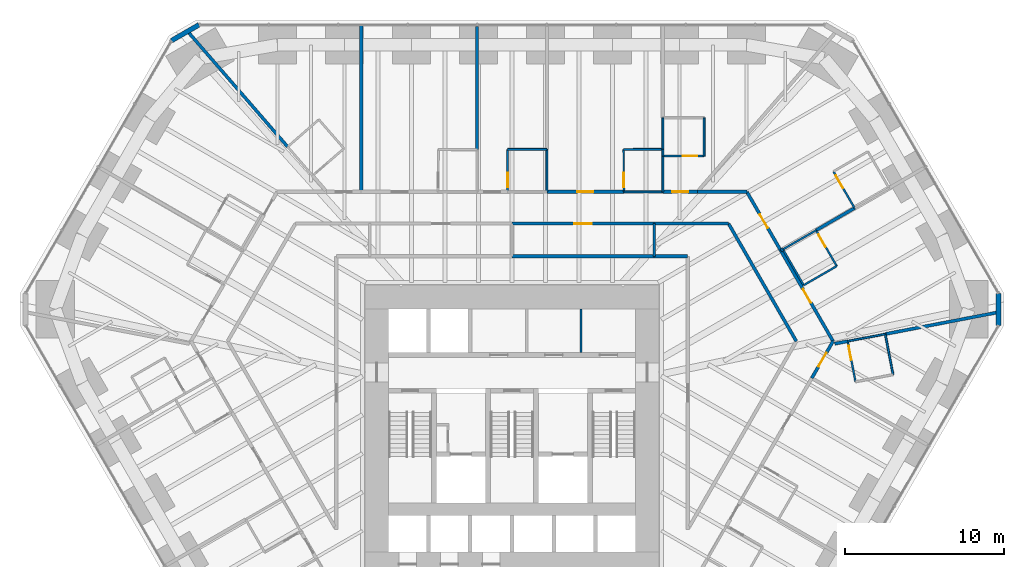
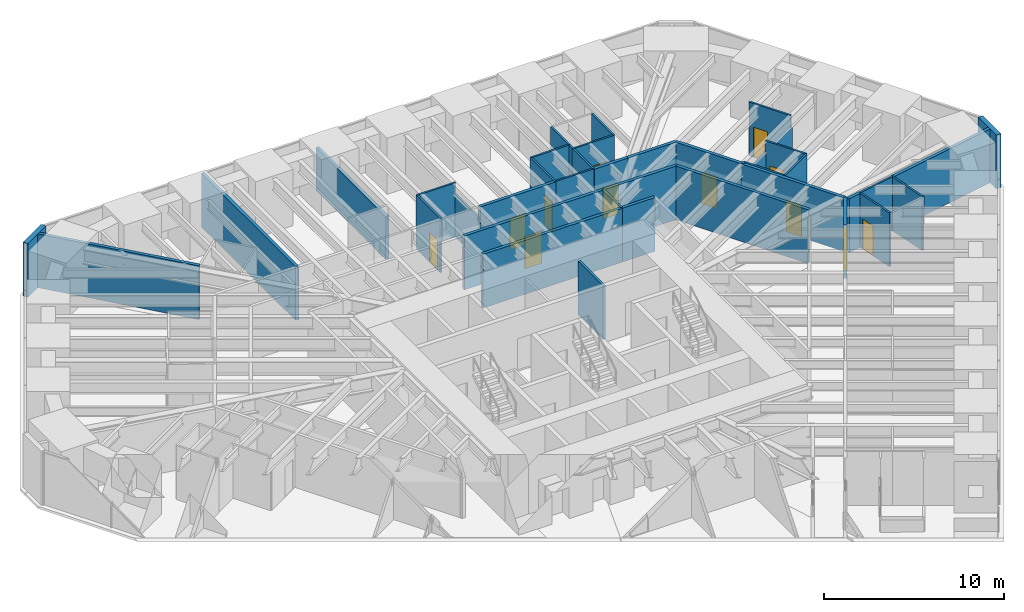
# One storey, part 15 of 17: 41 walls, 12 doors, 12 openings.
"""IFC4 building model written with IfcOpenShell, lengths in metres."""

from ifc_helpers import new_model, si_unit, direction, frame, frame_2d, origin, place, context, subcontext, project, spatial, rectangle, extrude, material, layer, layer_set, type_object, element, fill, save


model = new_model("IFC4")

# Units and contexts
model_context = context("Model", 3, precision=1e-05, world=origin(), true_north=direction((0.0, 1.0)))
body_context = subcontext(model_context, "Body", "Model", "MODEL_VIEW")
ifc_project = project(units=[si_unit("LENGTHUNIT", "METRE"), si_unit("AREAUNIT", "SQUARE_METRE"), si_unit("VOLUMEUNIT", "CUBIC_METRE"), si_unit("PLANEANGLEUNIT", "RADIAN"), si_unit("MASSUNIT", "GRAM", prefix="KILO")], contexts=[model_context])

# Site, building, storey
site_placement = place(None, origin())
site = spatial("IfcSite", under=ifc_project, at=site_placement, CompositionType="ELEMENT")
building_placement = place(site_placement, origin())
building = spatial("IfcBuilding", under=site, at=building_placement, Name="Sandreach Pilgrim Tower", CompositionType="ELEMENT")
storey_placement = place(building_placement, frame((0.0, 0.0, 26.800048828125)))
storey = spatial("IfcBuildingStorey", under=building, at=storey_placement, Name="L05", CompositionType="ELEMENT", Elevation=26.800048828125)

# Walls
ifc_material_1 = material(Name="Gypsum board on steel studs", Category="steel")
ifc_layer_1 = layer(ifc_material_1, 0.14990234375)
ifc_layer_set_1 = layer_set([ifc_layer_1], Name="Back of house wall 150")
wall_type_1 = type_object("IfcWallType", Name="Back of house wall 150", PredefinedType="PARTITIONING", material=ifc_layer_set_1)
wall_1_placement = place(storey_placement, frame((8.93994140625, 11.449951171875, 0.0), z_axis=(0.0, 0.0, 1.0), x_axis=(0.0, -1.0, 0.0)))
element("IfcWall", 1, at=wall_1_placement, inside=storey, type_object=wall_type_1, Name="Back of house wall L05-112", PredefinedType="PARTITIONING", context=body_context, shape_type="SweptSolid", body=[
    extrude(rectangle(XDim=2.050048828125, YDim=0.14990234375, at=frame_2d((1.02490234375, 0.0))), origin(), (0.0, 0.0, 1.0), 3.639892578125),
])
wall_2_placement = place(storey_placement, frame((4.333251953125, 3.35009765625, 0.0), z_axis=(0.0, 0.0, 1.0), x_axis=(0.0, 1.0, 0.0)))
element("IfcWall", 2, at=wall_2_placement, inside=storey, type_object=wall_type_1, Name="Core room partition L05 2", PredefinedType="PARTITIONING", context=body_context, shape_type="SweptSolid", body=[
    extrude(rectangle(XDim=2.75, YDim=0.14990234375, at=frame_2d((1.375, 0.0))), origin(), (0.0, 0.0, 1.0), 3.639892578125),
])

# Wall, opening, door
ifc_material_2 = material(Name="Moisture-resistant gypsum board on steel studs", Category="steel")
ifc_layer_2 = layer(ifc_material_2, 0.1201171875)
ifc_layer_set_2 = layer_set([ifc_layer_2], Name="Bathroom partition 120")
wall_type_2 = type_object("IfcWallType", Name="Bathroom partition 120", PredefinedType="PARTITIONING", material=ifc_layer_set_2)
wall_3_placement = place(storey_placement, frame((-0.27001953125, 16.1201171875, 0.0), z_axis=(0.0, 0.0, 1.0), x_axis=(0.0, -1.0, 0.0)))
wall_3 = element("IfcWall", 3, at=wall_3_placement, inside=storey, type_object=wall_type_2, Name="Bathroom partition L05-076", PredefinedType="PARTITIONING", context=body_context, shape_type="SweptSolid", body=[
    extrude(rectangle(XDim=2.670166015625, YDim=0.1201171875, at=frame_2d((1.3349609375, 0.0))), origin(), (0.0, 0.0, 1.0), 3.639892578125),
])
opening_1_placement = place(wall_3_placement, frame((1.469970703125, 0.0, 0.0)))
opening_1 = element("IfcOpeningElement", 4, at=opening_1_placement, cuts=wall_3, Name="Opening D09-03B", PredefinedType="OPENING", context=body_context, shape_type="SweptSolid", body=[
    extrude(rectangle(XDim=0.89990234375, YDim=2.030029296875, at=frame_2d((0.449951171875, 1.01513671875))), frame((0.0, 0.06005859375, 0.0), z_axis=(0.0, -1.0, 0.0), x_axis=(1.0, 0.0, 0.0)), (0.0, 0.0, 1.0), 0.1201171875),
])
ifc_material_3 = material(Name="Timber door, steel frame", Category="steel")
door_type_1 = type_object("IfcDoorType", Name="Bathroom door", OperationType="SINGLE_SWING_LEFT", PredefinedType="DOOR", material=ifc_material_3)
door_1_placement = place(opening_1_placement, origin())
door_1 = element("IfcDoor", 5, at=door_1_placement, inside=storey, type_object=door_type_1, Name="Door 0503B", OperationType="SINGLE_SWING_RIGHT", OverallHeight=2.030029296875, OverallWidth=0.89990234375, PredefinedType="DOOR", context=body_context, shape_type="SweptSolid", body=[
    extrude(rectangle(XDim=0.89990234375, YDim=2.030029296875, at=frame_2d((0.449951171875, 1.01513671875))), frame((0.0, 0.02490234375, 0.0), z_axis=(0.0, -1.0, 0.0), x_axis=(1.0, 0.0, 0.0)), (0.0, 0.0, 1.0), 0.050048828125),
])
fill(opening_1, door_1)

# Walls
wall_4_placement = place(storey_placement, frame((2.18994140625, 16.1201171875, 0.0), z_axis=(0.0, 0.0, 1.0), x_axis=(-1.0, 0.0, 0.0)))
element("IfcWall", 6, at=wall_4_placement, inside=storey, type_object=wall_type_2, Name="Bathroom partition L05-090", PredefinedType="PARTITIONING", context=body_context, shape_type="SweptSolid", body=[
    extrude(rectangle(XDim=2.4599609375, YDim=0.1201171875, at=frame_2d((1.22998046875, 0.0))), origin(), (0.0, 0.0, 1.0), 3.639892578125),
])
wall_5_placement = place(storey_placement, frame((2.18994140625, 16.1201171875, 0.0), z_axis=(0.0, 0.0, 1.0), x_axis=(0.0, -1.0, 0.0)))
element("IfcWall", 7, at=wall_5_placement, inside=storey, type_object=wall_type_2, Name="Bathroom partition L05-091", PredefinedType="PARTITIONING", context=body_context, shape_type="SweptSolid", body=[
    extrude(rectangle(XDim=2.670166015625, YDim=0.1201171875, at=frame_2d((1.3349609375, 0.0))), origin(), (0.0, 0.0, 1.0), 2.8779296875),
])

# Wall, opening, door
wall_6_placement = place(storey_placement, frame((7.02001953125, 16.110107421875, 0.0), z_axis=(0.0, 0.0, 1.0), x_axis=(0.003762822113, -0.99999292056, 0.0)))
wall_6 = element("IfcWall", 8, at=wall_6_placement, inside=storey, type_object=wall_type_2, Name="Bathroom partition L05-102", PredefinedType="PARTITIONING", context=body_context, shape_type="SweptSolid", body=[
    extrude(rectangle(XDim=2.66015625, YDim=0.1201171875, at=frame_2d((1.330078125, 0.0))), origin(), (0.0, 0.0, 1.0), 3.639892578125),
])
opening_2_placement = place(wall_6_placement, frame((1.4599609375, 0.0, 0.0)))
opening_2 = element("IfcOpeningElement", 9, at=opening_2_placement, cuts=wall_6, Name="Opening D09-04B", PredefinedType="OPENING", context=body_context, shape_type="SweptSolid", body=[
    extrude(rectangle(XDim=0.89990234375, YDim=2.030029296875, at=frame_2d((0.449951171875, 1.01513671875))), frame((0.0, 0.06005859375, 0.0), z_axis=(0.0, -1.0, 0.0), x_axis=(1.0, 0.0, 0.0)), (0.0, 0.0, 1.0), 0.1201171875),
])
door_2_placement = place(opening_2_placement, origin())
door_2 = element("IfcDoor", 10, at=door_2_placement, inside=storey, type_object=door_type_1, Name="Door 0504B", OperationType="SINGLE_SWING_RIGHT", OverallHeight=2.030029296875, OverallWidth=0.89990234375, PredefinedType="DOOR", context=body_context, shape_type="SweptSolid", body=[
    extrude(rectangle(XDim=0.89990234375, YDim=2.030029296875, at=frame_2d((0.449951171875, 1.01513671875))), frame((0.0, 0.02490234375, 0.0), z_axis=(0.0, -1.0, 0.0), x_axis=(1.0, 0.0, 0.0)), (0.0, 0.0, 1.0), 0.050048828125),
])
fill(opening_2, door_2)

# Walls
wall_7_placement = place(storey_placement, frame((9.47998046875, 13.449951171875, 0.0), z_axis=(0.0, 0.0, 1.0), x_axis=(-1.0, 0.0, 0.0)))
element("IfcWall", 11, at=wall_7_placement, inside=storey, type_object=wall_type_2, Name="Bathroom partition L05-115", PredefinedType="PARTITIONING", context=body_context, shape_type="SweptSolid", body=[
    extrude(rectangle(XDim=2.449951171875, YDim=0.1201171875, at=frame_2d((1.22509765625, 0.0))), origin(), (0.0, 0.0, 1.0), 3.639892578125),
])
wall_8_placement = place(storey_placement, frame((9.47998046875, 15.699951171875, 0.0), z_axis=(0.0, 0.0, 1.0), x_axis=(0.0, -1.0, 0.0)))
element("IfcWall", 12, at=wall_8_placement, inside=storey, type_object=wall_type_2, Name="Bathroom partition L05-116", PredefinedType="PARTITIONING", context=body_context, shape_type="SweptSolid", body=[
    extrude(rectangle(XDim=2.25, YDim=0.1201171875, at=frame_2d((1.125, 0.0))), origin(), (0.0, 0.0, 1.0), 3.639892578125),
])

# Wall, opening, door
wall_9_placement = place(storey_placement, frame((9.47998046875, 15.699951171875, 0.0), z_axis=(0.0, 0.0, 1.0), x_axis=(1.0, 0.0, 0.0)))
wall_9 = element("IfcWall", 13, at=wall_9_placement, inside=storey, type_object=wall_type_2, Name="Bathroom partition L05-117", PredefinedType="PARTITIONING", context=body_context, shape_type="SweptSolid", body=[
    extrude(rectangle(XDim=2.60009765625, YDim=0.1201171875, at=frame_2d((1.300048828125, 0.0))), origin(), (0.0, 0.0, 1.0), 3.639892578125),
])
opening_3_placement = place(wall_9_placement, frame((1.25, 0.0, 0.0)))
opening_3 = element("IfcOpeningElement", 14, at=opening_3_placement, cuts=wall_9, Name="Opening D09-05B", PredefinedType="OPENING", context=body_context, shape_type="SweptSolid", body=[
    extrude(rectangle(XDim=0.89990234375, YDim=2.030029296875, at=frame_2d((0.449951171875, 1.01513671875))), frame((0.0, 0.06005859375, 0.0), z_axis=(0.0, -1.0, 0.0), x_axis=(1.0, 0.0, 0.0)), (0.0, 0.0, 1.0), 0.1201171875),
])
door_3_placement = place(opening_3_placement, origin())
door_3 = element("IfcDoor", 15, at=door_3_placement, inside=storey, type_object=door_type_1, Name="Door 0505B", OperationType="SINGLE_SWING_RIGHT", OverallHeight=2.030029296875, OverallWidth=0.89990234375, PredefinedType="DOOR", context=body_context, shape_type="SweptSolid", body=[
    extrude(rectangle(XDim=0.89990234375, YDim=2.030029296875, at=frame_2d((0.449951171875, 1.01513671875))), frame((0.0, 0.02490234375, 0.0), z_axis=(0.0, -1.0, 0.0), x_axis=(1.0, 0.0, 0.0)), (0.0, 0.0, 1.0), 0.050048828125),
])
fill(opening_3, door_3)

# Walls
wall_10_placement = place(storey_placement, frame((9.47998046875, 16.1201171875, 0.0), z_axis=(0.0, 0.0, 1.0), x_axis=(-0.999991721417, -0.004069041344, 0.0)))
element("IfcWall", 16, at=wall_10_placement, inside=storey, type_object=wall_type_2, Name="Bathroom partition L05-118", PredefinedType="PARTITIONING", context=body_context, shape_type="SweptSolid", body=[
    extrude(rectangle(XDim=2.4599609375, YDim=0.1201171875, at=frame_2d((1.22998046875, 0.0))), origin(), (0.0, 0.0, 1.0), 3.639892578125),
])
wall_11_placement = place(storey_placement, frame((9.47998046875, 16.1201171875, 0.0), z_axis=(0.0, 0.0, 1.0), x_axis=(0.0, -1.0, 0.0)))
element("IfcWall", 17, at=wall_11_placement, inside=storey, type_object=wall_type_2, Name="Bathroom partition L05-119", PredefinedType="PARTITIONING", context=body_context, shape_type="SweptSolid", body=[
    extrude(rectangle(XDim=0.420166015625, YDim=0.1201171875, at=frame_2d((0.2099609375, 0.0))), origin(), (0.0, 0.0, 1.0), 3.639892578125),
])
wall_12_placement = place(storey_placement, frame((9.47998046875, 18.10009765625, 0.0), z_axis=(0.0, 0.0, 1.0), x_axis=(0.0, -1.0, 0.0)))
element("IfcWall", 18, at=wall_12_placement, inside=storey, type_object=wall_type_2, Name="Bathroom partition L05-120", PredefinedType="PARTITIONING", context=body_context, shape_type="SweptSolid", body=[
    extrude(rectangle(XDim=1.97998046875, YDim=0.1201171875, at=frame_2d((0.989990234375, 0.0))), origin(), (0.0, 0.0, 1.0), 3.639892578125),
])
wall_13_placement = place(storey_placement, frame((12.080078125, 15.699951171875, 0.0), z_axis=(0.0, 0.0, 1.0), x_axis=(0.0, 1.0, 0.0)))
element("IfcWall", 19, at=wall_13_placement, inside=storey, type_object=wall_type_2, Name="Bathroom partition L05-132", PredefinedType="PARTITIONING", context=body_context, shape_type="SweptSolid", body=[
    extrude(rectangle(XDim=2.400146484375, YDim=0.1201171875, at=frame_2d((1.2001953125, 0.0))), origin(), (0.0, 0.0, 1.0), 3.639892578125),
])
wall_14_placement = place(storey_placement, frame((17.02783203125, 9.833740234375, 0.0), z_axis=(0.0, 0.0, 1.0), x_axis=(0.867064427496, 0.498196024242, 0.0)))
element("IfcWall", 20, at=wall_14_placement, inside=storey, type_object=wall_type_2, Name="Bathroom partition L05-150", PredefinedType="PARTITIONING", context=body_context, shape_type="SweptSolid", body=[
    extrude(rectangle(XDim=2.401123046875, YDim=0.1201171875, at=frame_2d((1.20068359375, 0.0))), origin(), (0.0, 0.0, 1.0), 2.860107421875),
])
wall_15_placement = place(storey_placement, frame((17.030029296875, 9.830078125, 0.0), z_axis=(0.0, 0.0, 1.0), x_axis=(0.500291685314, -0.865856933682, 0.0)))
element("IfcWall", 21, at=wall_15_placement, inside=storey, type_object=wall_type_2, Name="Bathroom partition L05-151", PredefinedType="PARTITIONING", context=body_context, shape_type="SweptSolid", body=[
    extrude(rectangle(XDim=2.5986328125, YDim=0.1201171875, at=frame_2d((1.29931640625, 0.0))), origin(), (0.0, 0.0, 1.0), 3.639892578125),
])
wall_16_placement = place(storey_placement, frame((18.330078125, 7.580078125, 0.0), z_axis=(0.0, 0.0, 1.0), x_axis=(0.866177122335, 0.499737123639, 0.0)))
element("IfcWall", 22, at=wall_16_placement, inside=storey, type_object=wall_type_2, Name="Bathroom partition L05-154", PredefinedType="PARTITIONING", context=body_context, shape_type="SweptSolid", body=[
    extrude(rectangle(XDim=2.401123046875, YDim=0.1201171875, at=frame_2d((1.20068359375, 0.0))), origin(), (0.0, 0.0, 1.0), 3.639892578125),
])

# Wall, opening, door
wall_17_placement = place(storey_placement, frame((20.199951171875, 14.72998046875, 0.0), z_axis=(0.0, 0.0, 1.0), x_axis=(0.500605174168, -0.865675724273, 0.0)))
wall_17 = element("IfcWall", 23, at=wall_17_placement, inside=storey, type_object=wall_type_2, Name="Bathroom partition L05-157", PredefinedType="PARTITIONING", context=body_context, shape_type="SweptSolid", body=[
    extrude(rectangle(XDim=2.656982421875, YDim=0.1201171875, at=frame_2d((1.32861328125, 0.0))), origin(), (0.0, 0.0, 1.0), 3.639892578125),
])
opening_4_placement = place(wall_17_placement, frame((0.300048828125, 0.0, 0.0)))
opening_4 = element("IfcOpeningElement", 24, at=opening_4_placement, cuts=wall_17, Name="Opening D09-06B", PredefinedType="OPENING", context=body_context, shape_type="SweptSolid", body=[
    extrude(rectangle(XDim=0.89990234375, YDim=2.030029296875, at=frame_2d((0.449951171875, 1.01513671875))), frame((0.0, 0.06005859375, 0.0), z_axis=(0.0, -1.0, 0.0), x_axis=(1.0, 0.0, 0.0)), (0.0, 0.0, 1.0), 0.1201171875),
])
door_4_placement = place(opening_4_placement, origin())
door_4 = element("IfcDoor", 25, at=door_4_placement, inside=storey, type_object=door_type_1, Name="Door 0506B", OperationType="SINGLE_SWING_LEFT", OverallHeight=2.030029296875, OverallWidth=0.89990234375, PredefinedType="DOOR", context=body_context, shape_type="SweptSolid", body=[
    extrude(rectangle(XDim=0.89990234375, YDim=2.030029296875, at=frame_2d((0.449951171875, 1.01513671875))), frame((0.0, 0.02490234375, 0.0), z_axis=(0.0, -1.0, 0.0), x_axis=(1.0, 0.0, 0.0)), (0.0, 0.0, 1.0), 0.050048828125),
])
fill(opening_4, door_4)

wall_18_placement = place(storey_placement, frame((20.409912109375, 8.780029296875, 0.0), z_axis=(0.0, 0.0, 1.0), x_axis=(-0.500291685314, 0.865856933682, 0.0)))
wall_18 = element("IfcWall", 26, at=wall_18_placement, inside=storey, type_object=wall_type_2, Name="Bathroom partition L05-160", PredefinedType="PARTITIONING", context=body_context, shape_type="SweptSolid", body=[
    extrude(rectangle(XDim=2.5986328125, YDim=0.1201171875, at=frame_2d((1.29931640625, 0.0))), origin(), (0.0, 0.0, 1.0), 3.639892578125),
])
opening_5_placement = place(wall_18_placement, frame((1.398681640625, 0.0, 0.0)))
opening_5 = element("IfcOpeningElement", 27, at=opening_5_placement, cuts=wall_18, Name="Opening D09-07B", PredefinedType="OPENING", context=body_context, shape_type="SweptSolid", body=[
    extrude(rectangle(XDim=0.89990234375, YDim=2.030029296875, at=frame_2d((0.449951171875, 1.01513671875))), frame((0.0, 0.06005859375, 0.0), z_axis=(0.0, -1.0, 0.0), x_axis=(1.0, 0.0, 0.0)), (0.0, 0.0, 1.0), 0.1201171875),
])
door_5_placement = place(opening_5_placement, origin())
door_5 = element("IfcDoor", 28, at=door_5_placement, inside=storey, type_object=door_type_1, Name="Door 0507B", OperationType="SINGLE_SWING_RIGHT", OverallHeight=2.030029296875, OverallWidth=0.89990234375, PredefinedType="DOOR", context=body_context, shape_type="SweptSolid", body=[
    extrude(rectangle(XDim=0.89990234375, YDim=2.030029296875, at=frame_2d((0.449951171875, 1.01513671875))), frame((0.0, 0.02490234375, 0.0), z_axis=(0.0, -1.0, 0.0), x_axis=(1.0, 0.0, 0.0)), (0.0, 0.0, 1.0), 0.050048828125),
])
fill(opening_5, door_5)

wall_19_placement = place(storey_placement, frame((21.10009765625, 4.06005859375, 0.0), z_axis=(0.0, 0.0, 1.0), x_axis=(0.188697442844, -0.982035271802, 0.0)))
wall_19 = element("IfcWall", 29, at=wall_19_placement, inside=storey, type_object=wall_type_2, Name="Bathroom partition L05-161", PredefinedType="PARTITIONING", context=body_context, shape_type="SweptSolid", body=[
    extrude(rectangle(XDim=2.5966796875, YDim=0.1201171875, at=frame_2d((1.29833984375, 0.0))), origin(), (0.0, 0.0, 1.0), 3.639892578125),
])
opening_6_placement = place(wall_19_placement, frame((0.300048828125, 0.0, 0.0)))
opening_6 = element("IfcOpeningElement", 30, at=opening_6_placement, cuts=wall_19, Name="Opening D09-08B", PredefinedType="OPENING", context=body_context, shape_type="SweptSolid", body=[
    extrude(rectangle(XDim=0.89990234375, YDim=2.030029296875, at=frame_2d((0.449951171875, 1.01513671875))), frame((0.0, 0.06005859375, 0.0), z_axis=(0.0, -1.0, 0.0), x_axis=(1.0, 0.0, 0.0)), (0.0, 0.0, 1.0), 0.1201171875),
])
door_6_placement = place(opening_6_placement, origin())
door_6 = element("IfcDoor", 31, at=door_6_placement, inside=storey, type_object=door_type_1, Name="Door 0508B", OperationType="SINGLE_SWING_LEFT", OverallHeight=2.030029296875, OverallWidth=0.89990234375, PredefinedType="DOOR", context=body_context, shape_type="SweptSolid", body=[
    extrude(rectangle(XDim=0.89990234375, YDim=2.030029296875, at=frame_2d((0.449951171875, 1.01513671875))), frame((0.0, 0.02490234375, 0.0), z_axis=(0.0, -1.0, 0.0), x_axis=(1.0, 0.0, 0.0)), (0.0, 0.0, 1.0), 0.050048828125),
])
fill(opening_6, door_6)

# Walls
wall_20_placement = place(storey_placement, frame((21.099853515625, 4.06005859375, 0.0), z_axis=(0.0, 0.0, 1.0), x_axis=(0.982307423658, 0.187275533444, 0.0)))
element("IfcWall", 32, at=wall_20_placement, inside=storey, type_object=wall_type_2, Name="Bathroom partition L05-162", PredefinedType="PARTITIONING", context=body_context, shape_type="SweptSolid", body=[
    extrude(rectangle(XDim=2.402587890625, YDim=0.1201171875, at=frame_2d((1.201171875, 0.0))), origin(), (0.0, 0.0, 1.0), 3.639892578125),
])
wall_21_placement = place(storey_placement, frame((23.949951171875, 1.9599609375, 0.0), z_axis=(0.0, 0.0, 1.0), x_axis=(-0.188697442844, 0.982035271802, 0.0)))
element("IfcWall", 33, at=wall_21_placement, inside=storey, type_object=wall_type_2, Name="Bathroom partition L05-169", PredefinedType="PARTITIONING", context=body_context, shape_type="SweptSolid", body=[
    extrude(rectangle(XDim=2.5966796875, YDim=0.1201171875, at=frame_2d((1.29833984375, 0.0))), origin(), (0.0, 0.0, 1.0), 3.639892578125),
])

# Wall, opening, door
ifc_material_4 = material(Name="Gypsum board on steel studs, two layers each side", Category="steel")
ifc_layer_3 = layer(ifc_material_4, 0.199951171875)
ifc_layer_set_3 = layer_set([ifc_layer_3], Name="Corridor wall 200")
wall_type_3 = type_object("IfcWallType", Name="Corridor wall 200", PredefinedType="PARTITIONING", material=ifc_layer_set_3)
wall_22_placement = place(storey_placement, frame((0.0, 11.449951171875, 0.0), z_axis=(0.0, 0.0, 1.0), x_axis=(1.0, 0.0, 0.0)))
wall_22 = element("IfcWall", 34, at=wall_22_placement, inside=storey, type_object=wall_type_3, Name="Corridor wall L05-086", PredefinedType="PARTITIONING", context=body_context, shape_type="SweptSolid", body=[
    extrude(rectangle(XDim=8.93994140625, YDim=0.199951171875, at=frame_2d((4.469970703125, 0.0))), origin(), (0.0, 0.0, 1.0), 3.639892578125),
])
opening_7_placement = place(wall_22_placement, frame((3.919921875, 0.0, 0.0)))
opening_7 = element("IfcOpeningElement", 35, at=opening_7_placement, cuts=wall_22, Name="Opening D11H-M03", PredefinedType="OPENING", context=body_context, shape_type="SweptSolid", body=[
    extrude(rectangle(XDim=1.10009765625, YDim=2.199951171875, at=frame_2d((0.550048828125, 1.10009765625))), frame((0.0, 0.10009765625, 0.0), z_axis=(0.0, -1.0, 0.0), x_axis=(1.0, 0.0, 0.0)), (0.0, 0.0, 1.0), 0.199951171875),
])
ifc_material_5 = material(Name="Steel door and frame", Category="steel")
door_type_2 = type_object("IfcDoorType", Name="Back of house door", OperationType="SINGLE_SWING_LEFT", PredefinedType="DOOR", material=ifc_material_5)
door_7_placement = place(opening_7_placement, origin())
door_7 = element("IfcDoor", 36, at=door_7_placement, inside=storey, type_object=door_type_2, Name="Door 05M03", OperationType="SINGLE_SWING_LEFT", OverallHeight=2.199951171875, OverallWidth=1.10009765625, PredefinedType="DOOR", context=body_context, shape_type="SweptSolid", body=[
    extrude(rectangle(XDim=1.10009765625, YDim=2.199951171875, at=frame_2d((0.550048828125, 1.10009765625))), frame((0.0, 0.02490234375, 0.0), z_axis=(0.0, -1.0, 0.0), x_axis=(1.0, 0.0, 0.0)), (0.0, 0.0, 1.0), 0.050048828125),
])
fill(opening_7, door_7)

wall_23_placement = place(storey_placement, frame((7.030029296875, 13.449951171875, 0.0), z_axis=(0.0, 0.0, 1.0), x_axis=(-1.0, 0.0, 0.0)))
wall_23 = element("IfcWall", 37, at=wall_23_placement, inside=storey, type_object=wall_type_3, Name="Corridor wall L05-103", PredefinedType="PARTITIONING", context=body_context, shape_type="SweptSolid", body=[
    extrude(rectangle(XDim=4.840087890625, YDim=0.199951171875, at=frame_2d((2.419921875, 0.0))), origin(), (0.0, 0.0, 1.0), 3.639892578125),
])
opening_8_placement = place(wall_23_placement, frame((1.919921875, 0.0, 0.0)))
opening_8 = element("IfcOpeningElement", 38, at=opening_8_placement, cuts=wall_23, Name="Opening D10-04", PredefinedType="OPENING", context=body_context, shape_type="SweptSolid", body=[
    extrude(rectangle(XDim=1.0, YDim=2.1298828125, at=frame_2d((0.5, 1.06494140625))), frame((0.0, 0.10009765625, 0.0), z_axis=(0.0, -1.0, 0.0), x_axis=(1.0, 0.0, 0.0)), (0.0, 0.0, 1.0), 0.199951171875),
])
ifc_material_6 = material(Name="Steel door and frame", Category="steel")
door_type_3 = type_object("IfcDoorType", Name="Guest room entry door", OperationType="SINGLE_SWING_LEFT", PredefinedType="DOOR", material=ifc_material_6)
door_8_placement = place(opening_8_placement, origin())
door_8 = element("IfcDoor", 39, at=door_8_placement, inside=storey, type_object=door_type_3, Name="Door 0504", OperationType="SINGLE_SWING_LEFT", OverallHeight=2.1298828125, OverallWidth=1.0, PredefinedType="DOOR", context=body_context, shape_type="SweptSolid", body=[
    extrude(rectangle(XDim=1.0, YDim=2.1298828125, at=frame_2d((0.5, 1.06494140625))), frame((0.0, 0.02490234375, 0.0), z_axis=(0.0, -1.0, 0.0), x_axis=(1.0, 0.0, 0.0)), (0.0, 0.0, 1.0), 0.050048828125),
])
fill(opening_8, door_8)

# Walls
wall_24_placement = place(storey_placement, frame((8.93994140625, 9.39990234375, 0.0), z_axis=(0.0, 0.0, 1.0), x_axis=(-1.0, 0.0, 0.0)))
element("IfcWall", 40, at=wall_24_placement, inside=storey, type_object=wall_type_3, Name="Corridor wall L05-111", PredefinedType="PARTITIONING", context=body_context, shape_type="SweptSolid", body=[
    extrude(rectangle(XDim=8.93994140625, YDim=0.199951171875, at=frame_2d((4.469970703125, 0.0))), origin(), (0.0, 0.0, 1.0), 3.639892578125),
])
wall_25_placement = place(storey_placement, frame((8.93994140625, 11.449951171875, 0.0), z_axis=(0.0, 0.0, 1.0), x_axis=(1.0, 0.0, 0.0)))
element("IfcWall", 41, at=wall_25_placement, inside=storey, type_object=wall_type_3, Name="Corridor wall L05-113", PredefinedType="PARTITIONING", context=body_context, shape_type="SweptSolid", body=[
    extrude(rectangle(XDim=4.670166015625, YDim=0.199951171875, at=frame_2d((2.3349609375, 0.0))), origin(), (0.0, 0.0, 1.0), 3.639892578125),
])
wall_26_placement = place(storey_placement, frame((11.0400390625, 9.39990234375, 0.0), z_axis=(0.0, 0.0, 1.0), x_axis=(-1.0, 0.0, 0.0)))
element("IfcWall", 42, at=wall_26_placement, inside=storey, type_object=wall_type_3, Name="Corridor wall L05-127", PredefinedType="PARTITIONING", context=body_context, shape_type="SweptSolid", body=[
    extrude(rectangle(XDim=2.10009765625, YDim=0.199951171875, at=frame_2d((1.050048828125, 0.0))), origin(), (0.0, 0.0, 1.0), 3.639892578125),
])

# Wall, opening, door
wall_27_placement = place(storey_placement, frame((11.64990234375, 13.449951171875, 0.0), z_axis=(0.0, 0.0, 1.0), x_axis=(-1.0, 0.0, 0.0)))
wall_27 = element("IfcWall", 43, at=wall_27_placement, inside=storey, type_object=wall_type_3, Name="Corridor wall L05-130", PredefinedType="PARTITIONING", context=body_context, shape_type="SweptSolid", body=[
    extrude(rectangle(XDim=2.169921875, YDim=0.199951171875, at=frame_2d((1.0849609375, 0.0))), origin(), (0.0, 0.0, 1.0), 3.639892578125),
])
opening_9_placement = place(wall_27_placement, frame((0.5849609375, 0.0, 0.0)))
opening_9 = element("IfcOpeningElement", 44, at=opening_9_placement, cuts=wall_27, Name="Opening D10-05", PredefinedType="OPENING", context=body_context, shape_type="SweptSolid", body=[
    extrude(rectangle(XDim=1.0, YDim=2.1298828125, at=frame_2d((0.5, 1.06494140625))), frame((0.0, 0.10009765625, 0.0), z_axis=(0.0, -1.0, 0.0), x_axis=(1.0, 0.0, 0.0)), (0.0, 0.0, 1.0), 0.199951171875),
])
door_9_placement = place(opening_9_placement, origin())
door_9 = element("IfcDoor", 45, at=door_9_placement, inside=storey, type_object=door_type_3, Name="Door 0505", OperationType="SINGLE_SWING_LEFT", OverallHeight=2.1298828125, OverallWidth=1.0, PredefinedType="DOOR", context=body_context, shape_type="SweptSolid", body=[
    extrude(rectangle(XDim=1.0, YDim=2.1298828125, at=frame_2d((0.5, 1.06494140625))), frame((0.0, 0.02490234375, 0.0), z_axis=(0.0, -1.0, 0.0), x_axis=(1.0, 0.0, 0.0)), (0.0, 0.0, 1.0), 0.050048828125),
])
fill(opening_9, door_9)

# Walls
wall_28_placement = place(storey_placement, frame((13.610107421875, 11.449951171875, 0.0), z_axis=(0.0, 0.0, 1.0), x_axis=(0.499402776741, -0.866369936334, 0.0)))
element("IfcWall", 46, at=wall_28_placement, inside=storey, type_object=wall_type_3, Name="Corridor wall L05-137", PredefinedType="PARTITIONING", context=body_context, shape_type="SweptSolid", body=[
    extrude(rectangle(XDim=8.52978515625, YDim=0.199951171875, at=frame_2d((4.264892578125, 0.0))), origin(), (0.0, 0.0, 1.0), 3.639892578125),
])
wall_29_placement = place(storey_placement, frame((14.760009765625, 13.449951171875, 0.0), z_axis=(0.0, 0.0, 1.0), x_axis=(-1.0, 0.0, 0.0)))
element("IfcWall", 47, at=wall_29_placement, inside=storey, type_object=wall_type_3, Name="Corridor wall L05-142", PredefinedType="PARTITIONING", context=body_context, shape_type="SweptSolid", body=[
    extrude(rectangle(XDim=3.110107421875, YDim=0.199951171875, at=frame_2d((1.55517578125, 0.0))), origin(), (0.0, 0.0, 1.0), 3.639892578125),
])

# Wall, opening, door
wall_30_placement = place(storey_placement, frame((14.760009765625, 13.449951171875, 0.0), z_axis=(0.0, 0.0, 1.0), x_axis=(0.499894213467, -0.866086471054, 0.0)))
wall_30 = element("IfcWall", 48, at=wall_30_placement, inside=storey, type_object=wall_type_3, Name="Corridor wall L05-143", PredefinedType="PARTITIONING", context=body_context, shape_type="SweptSolid", body=[
    extrude(rectangle(XDim=4.265625, YDim=0.199951171875, at=frame_2d((2.1328125, 0.0))), origin(), (0.0, 0.0, 1.0), 3.639892578125),
])
opening_10_placement = place(wall_30_placement, frame((1.6328125, 0.0, 0.0)))
opening_10 = element("IfcOpeningElement", 49, at=opening_10_placement, cuts=wall_30, Name="Opening D10-06", PredefinedType="OPENING", context=body_context, shape_type="SweptSolid", body=[
    extrude(rectangle(XDim=1.0, YDim=2.1298828125, at=frame_2d((0.5, 1.06494140625))), frame((0.0, 0.10009765625, 0.0), z_axis=(0.0, -1.0, 0.0), x_axis=(1.0, 0.0, 0.0)), (0.0, 0.0, 1.0), 0.199951171875),
])
door_10_placement = place(opening_10_placement, origin())
door_10 = element("IfcDoor", 50, at=door_10_placement, inside=storey, type_object=door_type_3, Name="Door 0506", OperationType="SINGLE_SWING_LEFT", OverallHeight=2.1298828125, OverallWidth=1.0, PredefinedType="DOOR", context=body_context, shape_type="SweptSolid", body=[
    extrude(rectangle(XDim=1.0, YDim=2.1298828125, at=frame_2d((0.5, 1.06494140625))), frame((0.0, 0.02490234375, 0.0), z_axis=(0.0, -1.0, 0.0), x_axis=(1.0, 0.0, 0.0)), (0.0, 0.0, 1.0), 0.050048828125),
])
fill(opening_10, door_10)

wall_31_placement = place(storey_placement, frame((16.892333984375, 9.755615234375, 0.0), z_axis=(0.0, 0.0, 1.0), x_axis=(0.499916344562, -0.866073696887, 0.0)))
wall_31 = element("IfcWall", 51, at=wall_31_placement, inside=storey, type_object=wall_type_3, Name="Corridor wall L05-148", PredefinedType="PARTITIONING", context=body_context, shape_type="SweptSolid", body=[
    extrude(rectangle(XDim=6.576416015625, YDim=0.199951171875, at=frame_2d((3.2880859375, 0.0))), origin(), (0.0, 0.0, 1.0), 3.639892578125),
])
opening_11_placement = place(wall_31_placement, frame((2.7880859375, 0.0, 0.0)))
opening_11 = element("IfcOpeningElement", 52, at=opening_11_placement, cuts=wall_31, Name="Opening D10-07", PredefinedType="OPENING", context=body_context, shape_type="SweptSolid", body=[
    extrude(rectangle(XDim=1.0, YDim=2.1298828125, at=frame_2d((0.5, 1.06494140625))), frame((0.0, 0.10009765625, 0.0), z_axis=(0.0, -1.0, 0.0), x_axis=(1.0, 0.0, 0.0)), (0.0, 0.0, 1.0), 0.199951171875),
])
door_11_placement = place(opening_11_placement, origin())
door_11 = element("IfcDoor", 53, at=door_11_placement, inside=storey, type_object=door_type_3, Name="Door 0507", OperationType="SINGLE_SWING_LEFT", OverallHeight=2.1298828125, OverallWidth=1.0, PredefinedType="DOOR", context=body_context, shape_type="SweptSolid", body=[
    extrude(rectangle(XDim=1.0, YDim=2.1298828125, at=frame_2d((0.5, 1.06494140625))), frame((0.0, 0.02490234375, 0.0), z_axis=(0.0, -1.0, 0.0), x_axis=(1.0, 0.0, 0.0)), (0.0, 0.0, 1.0), 0.050048828125),
])
fill(opening_11, door_11)

wall_32_placement = place(storey_placement, frame((18.840087890625, 1.739990234375, 0.0), z_axis=(0.0, 0.0, 1.0), x_axis=(0.500098439427, 0.865968562295, 0.0)))
wall_32 = element("IfcWall", 54, at=wall_32_placement, inside=storey, type_object=wall_type_3, Name="Corridor wall L05-155", PredefinedType="PARTITIONING", context=body_context, shape_type="SweptSolid", body=[
    extrude(rectangle(XDim=2.67919921875, YDim=0.199951171875, at=frame_2d((1.339599609375, 0.0))), origin(), (0.0, 0.0, 1.0), 3.639892578125),
])
opening_12_placement = place(wall_32_placement, frame((0.839599609375, 0.0, 0.0)))
opening_12 = element("IfcOpeningElement", 55, at=opening_12_placement, cuts=wall_32, Name="Opening D10-08", PredefinedType="OPENING", context=body_context, shape_type="SweptSolid", body=[
    extrude(rectangle(XDim=1.0, YDim=2.1298828125, at=frame_2d((0.5, 1.06494140625))), frame((0.0, 0.10009765625, 0.0), z_axis=(0.0, -1.0, 0.0), x_axis=(1.0, 0.0, 0.0)), (0.0, 0.0, 1.0), 0.199951171875),
])
door_12_placement = place(opening_12_placement, origin())
door_12 = element("IfcDoor", 56, at=door_12_placement, inside=storey, type_object=door_type_3, Name="Door 0508", OperationType="SINGLE_SWING_LEFT", OverallHeight=2.1298828125, OverallWidth=1.0, PredefinedType="DOOR", context=body_context, shape_type="SweptSolid", body=[
    extrude(rectangle(XDim=1.0, YDim=2.1298828125, at=frame_2d((0.5, 1.06494140625))), frame((0.0, 0.02490234375, 0.0), z_axis=(0.0, -1.0, 0.0), x_axis=(1.0, 0.0, 0.0)), (0.0, 0.0, 1.0), 0.050048828125),
])
fill(opening_12, door_12)

# Walls
ifc_material_7 = material(Name="Double steel stud acoustic wall, gypsum board", Category="steel")
ifc_layer_4 = layer(ifc_material_7, 0.199951171875)
ifc_layer_set_4 = layer_set([ifc_layer_4], Name="Party wall 200")
wall_type_4 = type_object("IfcWallType", Name="Party wall 200", PredefinedType="PARTITIONING", material=ifc_layer_set_4)
wall_33_placement = place(storey_placement, frame((-20.400390625, 23.54736328125, 0.0), z_axis=(0.0, 0.0, 1.0), x_axis=(0.654910244559, -0.755706670323, 0.0)))
element("IfcWall", 57, at=wall_33_placement, inside=storey, type_object=wall_type_4, Name="Party wall L05-013", PredefinedType="PARTITIONING", context=body_context, shape_type="SweptSolid", body=[
    extrude(rectangle(XDim=9.6181640625, YDim=0.199951171875, at=frame_2d((4.80908203125, 0.0))), origin(), (0.0, 0.0, 1.0), 3.639892578125),
])
wall_34_placement = place(storey_placement, frame((-9.47998046875, 23.919921875, 0.0), z_axis=(0.0, 0.0, 1.0), x_axis=(0.0, -1.0, 0.0)))
element("IfcWall", 58, at=wall_34_placement, inside=storey, type_object=wall_type_4, Name="Party wall L05-054", PredefinedType="PARTITIONING", context=body_context, shape_type="SweptSolid", body=[
    extrude(rectangle(XDim=10.4599609375, YDim=0.199951171875, at=frame_2d((5.22998046875, 0.0))), origin(), (0.0, 0.0, 1.0), 3.639892578125),
])
wall_35_placement = place(storey_placement, frame((-2.18994140625, 23.830078125, 0.0), z_axis=(0.0, 0.0, 1.0), x_axis=(0.0, -1.0, 0.0)))
element("IfcWall", 59, at=wall_35_placement, inside=storey, type_object=wall_type_4, Name="Party wall L05-074", PredefinedType="PARTITIONING", context=body_context, shape_type="SweptSolid", body=[
    extrude(rectangle(XDim=7.72998046875, YDim=0.199951171875, at=frame_2d((3.864990234375, 0.0))), origin(), (0.0, 0.0, 1.0), 2.8779296875),
])
wall_36_placement = place(storey_placement, frame((16.904296875, 9.762451171875, 0.0), z_axis=(0.0, 0.0, 1.0), x_axis=(0.875926787791, 0.482444051088, 0.0)))
element("IfcWall", 60, at=wall_36_placement, inside=storey, type_object=wall_type_4, Name="Party wall L05-149", PredefinedType="PARTITIONING", context=body_context, shape_type="SweptSolid", body=[
    extrude(rectangle(XDim=0.142822265625, YDim=0.199951171875, at=frame_2d((0.0712890625, 0.0))), origin(), (0.0, 0.0, 1.0), 3.639892578125),
])
wall_37_placement = place(storey_placement, frame((19.110107421875, 11.030029296875, 0.0), z_axis=(0.0, 0.0, 1.0), x_axis=(0.865839219242, 0.500322342518, 0.0)))
element("IfcWall", 61, at=wall_37_placement, inside=storey, type_object=wall_type_4, Name="Party wall L05-156", PredefinedType="PARTITIONING", context=body_context, shape_type="SweptSolid", body=[
    extrude(rectangle(XDim=2.818115234375, YDim=0.199951171875, at=frame_2d((1.4091796875, 0.0))), origin(), (0.0, 0.0, 1.0), 2.860107421875),
])
wall_38_placement = place(storey_placement, frame((20.281005859375, 3.90087890625, 0.0), z_axis=(0.0, 0.0, 1.0), x_axis=(0.981624527768, 0.190822657157, 0.0)))
element("IfcWall", 62, at=wall_38_placement, inside=storey, type_object=wall_type_4, Name="Party wall L05-158", PredefinedType="PARTITIONING", context=body_context, shape_type="SweptSolid", body=[
    extrude(rectangle(XDim=0.834228515625, YDim=0.199951171875, at=frame_2d((0.4169921875, 0.0))), origin(), (0.0, 0.0, 1.0), 3.639892578125),
])
wall_39_placement = place(storey_placement, frame((23.4599609375, 4.510009765625, 0.0), z_axis=(0.0, 0.0, 1.0), x_axis=(0.981929870864, 0.189245155035, 0.0)))
element("IfcWall", 63, at=wall_39_placement, inside=storey, type_object=wall_type_4, Name="Party wall L05-166", PredefinedType="PARTITIONING", context=body_context, shape_type="SweptSolid", body=[
    extrude(rectangle(XDim=7.26171875, YDim=0.199951171875, at=frame_2d((3.630859375, 0.0))), origin(), (0.0, 0.0, 1.0), 3.639892578125),
])
ifc_material_8 = material(Name="Terracotta rainscreen on concrete", Category="masonry")
ifc_layer_5 = layer(ifc_material_8, 0.300048828125)
ifc_layer_set_5 = layer_set([ifc_layer_5], Name="Terracotta chamfer pier")
wall_type_5 = type_object("IfcWallType", Name="Terracotta chamfer pier", PredefinedType="SOLIDWALL", material=ifc_layer_set_5)
for number, where, z_axis, x_axis, name in (
    (64, (30.576171875, 7.062255859375, 0.0), (0.0, 0.0, 1.0), (0.0, -1.0, 0.0), "Chamfer pier L05 NE"),
    (65, (-21.404052734375, 22.94873046875, 0.0), (0.0, 0.0, 1.0), (0.866010750942, 0.50002537861, 0.0), "Chamfer pier L05 NW"),
):
    element("IfcWall", number, at=place(storey_placement, frame(where, z_axis=z_axis, x_axis=x_axis)), inside=storey, type_object=wall_type_5, Name=name, PredefinedType="SOLIDWALL", context=body_context, shape_type="SweptSolid", body=[
        extrude(rectangle(XDim=2.0, YDim=0.300048828125, at=frame_2d((1.0, 0.0))), origin(), (0.0, 0.0, 1.0), 3.639892578125),
    ])

save(model, "model.ifc")
